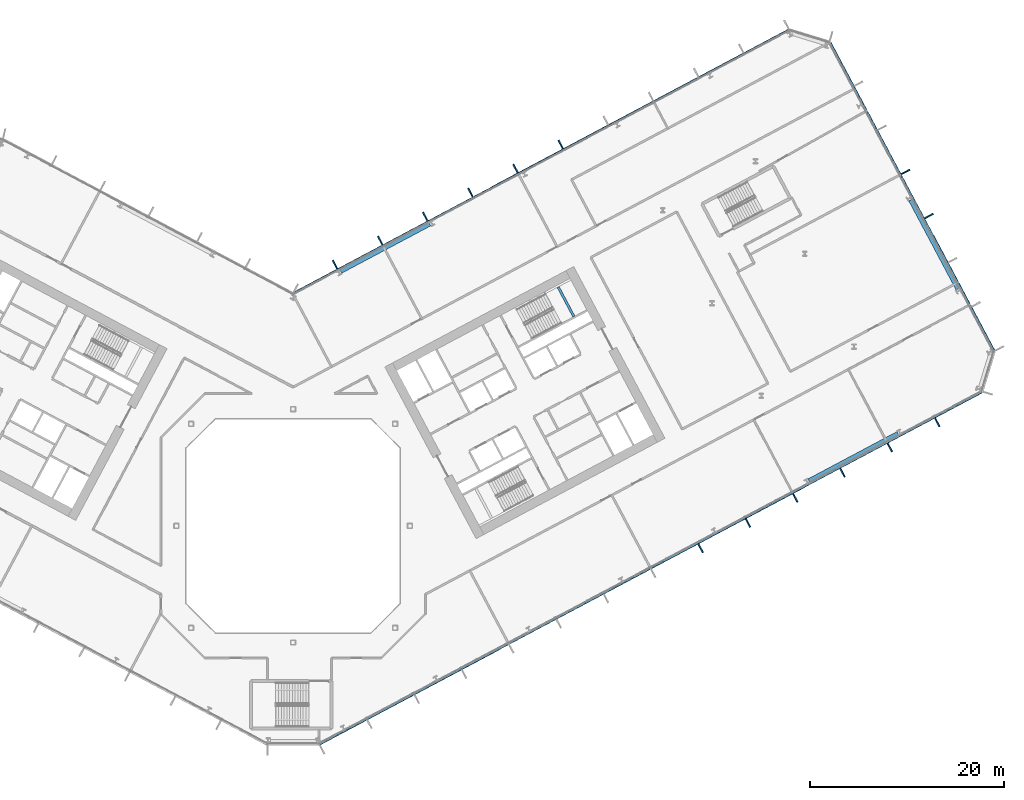
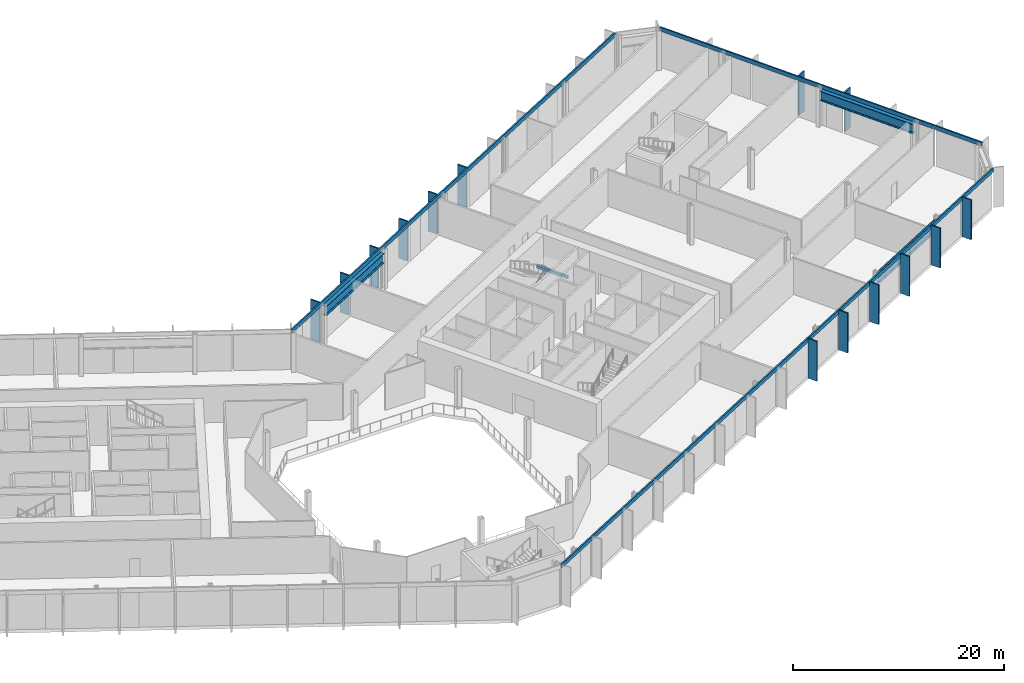
# One storey, part 8 of 31: 17 members, 4 beams, 3 elements without a shape of their own.
"""IFC4 building model written with IfcOpenShell, lengths in metres."""

from ifc_helpers import new_model, si_unit, direction, frame, origin, origin_2d, place, context, subcontext, project, spatial, rectangle, i_section, extrude, material, layer, layer_set, material_profile, profile_set, type_object, element, aggregate, save


model = new_model("IFC4")

# Units and contexts
model_context = context("Model", 3, precision=1e-05, world=origin(), true_north=direction((0.0, 1.0)))
body_context = subcontext(model_context, "Body", "Model", "MODEL_VIEW")
ifc_project = project(units=[si_unit("LENGTHUNIT", "METRE"), si_unit("AREAUNIT", "SQUARE_METRE"), si_unit("VOLUMEUNIT", "CUBIC_METRE"), si_unit("PLANEANGLEUNIT", "RADIAN"), si_unit("MASSUNIT", "GRAM", prefix="KILO")], contexts=[model_context])

# Site, building, storey
site_placement = place(None, origin())
site = spatial("IfcSite", under=ifc_project, at=site_placement, CompositionType="ELEMENT")
building_placement = place(site_placement, origin())
building = spatial("IfcBuilding", under=site, at=building_placement, Name="Cormorant Relay Tower", CompositionType="ELEMENT")
storey_placement = place(building_placement, frame((0.0, 0.0, 103.0)))
storey = spatial("IfcBuildingStorey", under=building, at=storey_placement, Name="L20", CompositionType="ELEMENT", Elevation=103.0)

# Curtain wall, members
ifc_material_1 = material(Name="Aluminium 6063-T6 anodised bronze", Category="aluminium")
ifc_layer = layer(ifc_material_1, 0.199951171875)
ifc_layer_set = layer_set([ifc_layer], Name="CW1 unitised bronze curtain wall with vertical fins")
curtain_wall_type = type_object("IfcCurtainWallType", Name="CW1 unitised bronze curtain wall with vertical fins", PredefinedType="NOTDEFINED", material=ifc_layer_set)
curtain_wall_1_placement = place(storey_placement, origin())
curtain_wall_1 = element("IfcCurtainWall", 1, at=curtain_wall_1_placement, inside=storey, type_object=curtain_wall_type, Name="CW1 curtain wall 2", PredefinedType="NOTDEFINED")
ifc_material_2 = material(Name="Aluminium 6063-T6 anodised bronze", Category="aluminium")
ifc_material_profile_1 = material_profile(ifc_material_2, rectangle(XDim=0.14990234375, YDim=1.0, at=origin_2d()), Name="AL 150x1000")
ifc_profile_set_1 = profile_set([ifc_material_profile_1], Name="Aluminium 6063-T6 anodised bronze")
member_type_1 = type_object("IfcMemberType", Name="CW1 bronze fin mullion 150 x 1000", PredefinedType="MULLION", material=ifc_profile_set_1)
member_1_placement = place(storey_placement, frame((41.910888671875, -2.29248046875, 0.0), z_axis=(0.0, 0.0, 1.0), x_axis=(0.882947592859, 0.469471562786, 0.0)))
member_1 = element("IfcMember", 2, at=member_1_placement, type_object=member_type_1, Name="CW1 fin 2.9", PredefinedType="MULLION", context=body_context, shape_type="SweptSolid", body=[
    extrude(rectangle(XDim=0.14990234375, YDim=1.0, at=origin_2d()), origin(), (0.0, 0.0, 1.0), 4.60009765625),
])
member_2_placement = place(storey_placement, frame((46.777587890625, 0.29541015625, 0.0), z_axis=(0.0, 0.0, 1.0), x_axis=(0.882947592859, 0.469471562786, 0.0)))
member_2 = element("IfcMember", 3, at=member_2_placement, type_object=member_type_1, Name="CW1 fin 2.10", PredefinedType="MULLION", context=body_context, shape_type="SweptSolid", body=[
    extrude(rectangle(XDim=0.14990234375, YDim=1.0, at=origin_2d()), origin(), (0.0, 0.0, 1.0), 4.60009765625),
])
member_3_placement = place(storey_placement, frame((51.644287109375, 2.8828125, 0.0), z_axis=(0.0, 0.0, 1.0), x_axis=(0.882947592859, 0.469471562786, 0.0)))
member_3 = element("IfcMember", 4, at=member_3_placement, type_object=member_type_1, Name="CW1 fin 2.11", PredefinedType="MULLION", context=body_context, shape_type="SweptSolid", body=[
    extrude(rectangle(XDim=0.14990234375, YDim=1.0, at=origin_2d()), origin(), (0.0, 0.0, 1.0), 4.60009765625),
])
member_4_placement = place(storey_placement, frame((56.510986328125, 5.470703125, 0.0), z_axis=(0.0, 0.0, 1.0), x_axis=(0.882947592859, 0.469471562786, 0.0)))
member_4 = element("IfcMember", 5, at=member_4_placement, type_object=member_type_1, Name="CW1 fin 2.12", PredefinedType="MULLION", context=body_context, shape_type="SweptSolid", body=[
    extrude(rectangle(XDim=0.14990234375, YDim=1.0, at=origin_2d()), origin(), (0.0, 0.0, 1.0), 4.60009765625),
])
member_5_placement = place(storey_placement, frame((61.377685546875, 8.058349609375, 0.0), z_axis=(0.0, 0.0, 1.0), x_axis=(0.882947592859, 0.469471562786, 0.0)))
member_5 = element("IfcMember", 6, at=member_5_placement, type_object=member_type_1, Name="CW1 fin 2.13", PredefinedType="MULLION", context=body_context, shape_type="SweptSolid", body=[
    extrude(rectangle(XDim=0.14990234375, YDim=1.0, at=origin_2d()), origin(), (0.0, 0.0, 1.0), 4.60009765625),
])
member_6_placement = place(storey_placement, frame((66.244140625, 10.64599609375, 0.0), z_axis=(0.0, 0.0, 1.0), x_axis=(0.882947592859, 0.469471562786, 0.0)))
member_6 = element("IfcMember", 7, at=member_6_placement, type_object=member_type_1, Name="CW1 fin 2.14", PredefinedType="MULLION", context=body_context, shape_type="SweptSolid", body=[
    extrude(rectangle(XDim=0.14990234375, YDim=1.0, at=origin_2d()), origin(), (0.0, 0.0, 1.0), 4.60009765625),
])

curtain_wall_2_placement = place(storey_placement, origin())
curtain_wall_2 = element("IfcCurtainWall", 8, at=curtain_wall_2_placement, inside=storey, type_object=curtain_wall_type, Name="CW1 curtain wall 4", PredefinedType="NOTDEFINED")
member_7_placement = place(storey_placement, frame((65.3974609375, 31.860107421875, 0.0), z_axis=(0.0, 0.0, 1.0), x_axis=(-0.469471562786, 0.882947592859, 0.0)))
member_7 = element("IfcMember", 9, at=member_7_placement, type_object=member_type_1, Name="CW1 fin 4.4", PredefinedType="MULLION", context=body_context, shape_type="SweptSolid", body=[
    extrude(rectangle(XDim=0.14990234375, YDim=1.0, at=origin_2d()), origin(), (0.0, 0.0, 1.0), 4.60009765625),
])
member_8_placement = place(storey_placement, frame((62.983154296875, 36.40087890625, 0.0), z_axis=(0.0, 0.0, 1.0), x_axis=(-0.469471562786, 0.882947592859, 0.0)))
member_8 = element("IfcMember", 10, at=member_8_placement, type_object=member_type_1, Name="CW1 fin 4.5", PredefinedType="MULLION", context=body_context, shape_type="SweptSolid", body=[
    extrude(rectangle(XDim=0.14990234375, YDim=1.0, at=origin_2d()), origin(), (0.0, 0.0, 1.0), 4.60009765625),
])

curtain_wall_3_placement = place(storey_placement, origin())
curtain_wall_3 = element("IfcCurtainWall", 11, at=curtain_wall_3_placement, inside=storey, type_object=curtain_wall_type, Name="CW1 curtain wall 6", PredefinedType="NOTDEFINED")
member_9_placement = place(storey_placement, frame((27.524658203125, 39.2119140625, 0.0), z_axis=(0.0, 0.0, 1.0), x_axis=(-0.882947592859, -0.469471562786, 0.0)))
member_9 = element("IfcMember", 12, at=member_9_placement, type_object=member_type_1, Name="CW1 fin 6.6", PredefinedType="MULLION", context=body_context, shape_type="SweptSolid", body=[
    extrude(rectangle(XDim=0.14990234375, YDim=1.0, at=origin_2d()), origin(), (0.0, 0.0, 1.0), 4.60009765625),
])
member_10_placement = place(storey_placement, frame((22.882568359375, 36.74365234375, 0.0), z_axis=(0.0, 0.0, 1.0), x_axis=(-0.882947592859, -0.469471562786, 0.0)))
member_10 = element("IfcMember", 13, at=member_10_placement, type_object=member_type_1, Name="CW1 fin 6.7", PredefinedType="MULLION", context=body_context, shape_type="SweptSolid", body=[
    extrude(rectangle(XDim=0.14990234375, YDim=1.0, at=origin_2d()), origin(), (0.0, 0.0, 1.0), 4.60009765625),
])
member_11_placement = place(storey_placement, frame((18.240234375, 34.275390625, 0.0), z_axis=(0.0, 0.0, 1.0), x_axis=(-0.882947592859, -0.469471562786, 0.0)))
member_11 = element("IfcMember", 14, at=member_11_placement, type_object=member_type_1, Name="CW1 fin 6.8", PredefinedType="MULLION", context=body_context, shape_type="SweptSolid", body=[
    extrude(rectangle(XDim=0.14990234375, YDim=1.0, at=origin_2d()), origin(), (0.0, 0.0, 1.0), 4.60009765625),
])
member_12_placement = place(storey_placement, frame((13.597900390625, 31.806884765625, 0.0), z_axis=(0.0, 0.0, 1.0), x_axis=(-0.882947592859, -0.469471562786, 0.0)))
member_12 = element("IfcMember", 15, at=member_12_placement, type_object=member_type_1, Name="CW1 fin 6.9", PredefinedType="MULLION", context=body_context, shape_type="SweptSolid", body=[
    extrude(rectangle(XDim=0.14990234375, YDim=1.0, at=origin_2d()), origin(), (0.0, 0.0, 1.0), 4.60009765625),
])
member_13_placement = place(storey_placement, frame((8.955810546875, 29.338623046875, 0.0), z_axis=(0.0, 0.0, 1.0), x_axis=(-0.882947592859, -0.469471562786, 0.0)))
member_13 = element("IfcMember", 16, at=member_13_placement, type_object=member_type_1, Name="CW1 fin 6.10", PredefinedType="MULLION", context=body_context, shape_type="SweptSolid", body=[
    extrude(rectangle(XDim=0.14990234375, YDim=1.0, at=origin_2d()), origin(), (0.0, 0.0, 1.0), 4.60009765625),
])
member_14_placement = place(storey_placement, frame((4.313720703125, 26.870361328125, 0.0), z_axis=(0.0, 0.0, 1.0), x_axis=(-0.882947592859, -0.469471562786, 0.0)))
member_14 = element("IfcMember", 17, at=member_14_placement, type_object=member_type_1, Name="CW1 fin 6.11", PredefinedType="MULLION", context=body_context, shape_type="SweptSolid", body=[
    extrude(rectangle(XDim=0.14990234375, YDim=1.0, at=origin_2d()), origin(), (0.0, 0.0, 1.0), 4.60009765625),
])

# Member
ifc_material_3 = material(Name="Aluminium 6063-T6 anodised bronze", Category="aluminium")
ifc_material_profile_2 = material_profile(ifc_material_3, rectangle(XDim=0.159912109375, YDim=0.449951171875, at=origin_2d()), Name="AL 160x450")
ifc_profile_set_2 = profile_set([ifc_material_profile_2], Name="Aluminium 6063-T6 anodised bronze")
member_type_2 = type_object("IfcMemberType", Name="CW1 bronze transom 160 x 450", PredefinedType="USERDEFINED", material=ifc_profile_set_2)
member_15_placement = place(storey_placement, frame((2.705078125, -22.4814453125, 4.375), z_axis=(0.882948654677, 0.46946956579, 0.0), x_axis=(-0.46946956579, 0.882948654677, 0.0)))
member_15 = element("IfcMember", 18, at=member_15_placement, type_object=member_type_2, Name="CW1 transom 2", ObjectType="TRANSOM", PredefinedType="USERDEFINED", context=body_context, shape_type="SweptSolid", body=[
    extrude(rectangle(XDim=0.159912109375, YDim=0.449951171875, at=origin_2d()), origin(), (0.0, 0.0, 1.0), 77.166015625),
])

aggregate(curtain_wall_1, [member_1, member_2, member_3, member_4, member_5, member_6, member_15])

member_16_placement = place(storey_placement, frame((72.128662109375, 17.965087890625, 4.375), z_axis=(-0.469469230355, 0.88294883303, 0.0), x_axis=(-0.88294883303, -0.469469230355, 0.0)))
member_16 = element("IfcMember", 19, at=member_16_placement, type_object=member_type_2, Name="CW1 transom 4", ObjectType="TRANSOM", PredefinedType="USERDEFINED", context=body_context, shape_type="SweptSolid", body=[
    extrude(rectangle(XDim=0.159912109375, YDim=0.449951171875, at=origin_2d()), origin(), (0.0, 0.0, 1.0), 36.0),
])

aggregate(curtain_wall_2, [member_7, member_8, member_16])

member_17_placement = place(storey_placement, frame((51.008056640625, 51.04150390625, 4.375), z_axis=(-0.882946446228, -0.469473719279, 0.0), x_axis=(0.469473719279, -0.882946446228, 0.0)))
member_17 = element("IfcMember", 20, at=member_17_placement, type_object=member_type_2, Name="CW1 transom 6", ObjectType="TRANSOM", PredefinedType="USERDEFINED", context=body_context, shape_type="SweptSolid", body=[
    extrude(rectangle(XDim=0.159912109375, YDim=0.449951171875, at=origin_2d()), origin(), (0.0, 0.0, 1.0), 57.834228515625),
])

aggregate(curtain_wall_3, [member_9, member_10, member_11, member_12, member_13, member_14, member_17])

# Beams
ifc_material_4 = material(Name="Steel ASTM A992 (Fy 345 MPa)", Category="steel")
ifc_material_profile_3 = material_profile(ifc_material_4, i_section(OverallWidth=0.40380859375, OverallDepth=1.11767578125, WebThickness=0.026123046875, FlangeThickness=0.044921875, FilletRadius=0.02001953125, at=origin_2d()), Name="W1100x499")
ifc_profile_set_3 = profile_set([ifc_material_profile_3], Name="Steel ASTM A992 (Fy 345 MPa)")
beam_type_1 = type_object("IfcBeamType", Name="Spandrel W1100x499", PredefinedType="SPANDREL", material=ifc_profile_set_3)
for number, where, z_axis, x_axis, name in (
    (21, (53.0390625, 4.64599609375, 3.64111328125), (0.882937138632, 0.469491223799, 0.0), (-0.469491223799, 0.882937138632, 0.0), "Spandrel beam L20-002"),
    (22, (68.364990234375, 24.358154296875, 3.64111328125), (-0.469491223799, 0.882937138632, 0.0), (-0.882937138632, -0.469491223799, 0.0), "Spandrel beam L20-004"),
    (23, (14.06494140625, 31.03369140625, 3.64111328125), (-0.882946891921, -0.469472881056, 0.0), (0.469472881056, -0.882946891921, 0.0), "Spandrel beam L20-006"),
):
    element("IfcBeam", number, at=place(storey_placement, frame(where, z_axis=z_axis, x_axis=x_axis)), inside=storey, type_object=beam_type_1, Name=name, PredefinedType="SPANDREL", context=body_context, shape_type="SweptSolid", body=[
        extrude(i_section(OverallWidth=0.40380859375, OverallDepth=1.11767578125, WebThickness=0.026123046875, FlangeThickness=0.044921875, FilletRadius=0.02001953125, at=origin_2d()), origin(), (0.0, 0.0, 1.0), 10.376220703125),
    ])
ifc_material_5 = material(Name="Concrete 50 MPa", Category="concrete")
ifc_material_profile_4 = material_profile(ifc_material_5, rectangle(XDim=0.25, YDim=0.300048828125, at=origin_2d()), Name="RC 250x300")
ifc_profile_set_4 = profile_set([ifc_material_profile_4], Name="Concrete 50 MPa")
beam_type_2 = type_object("IfcBeamType", Name="Stair landing ledge beam 250x300", PredefinedType="BEAM", material=ifc_profile_set_4)
beam_placement = place(storey_placement, frame((28.878662109375, 21.527587890625, 1.949951171875), z_axis=(-0.469463917486, 0.882951657895, 0.0), x_axis=(-0.882951657895, -0.469463917486, 0.0)))
element("IfcBeam", 24, at=beam_placement, inside=storey, type_object=beam_type_2, Name="B2 landing ledge beam", PredefinedType="BEAM", context=body_context, shape_type="SweptSolid", body=[
    extrude(rectangle(XDim=0.25, YDim=0.300048828125, at=origin_2d()), origin(), (0.0, 0.0, 1.0), 3.449951171875),
])

save(model, "model.ifc")
